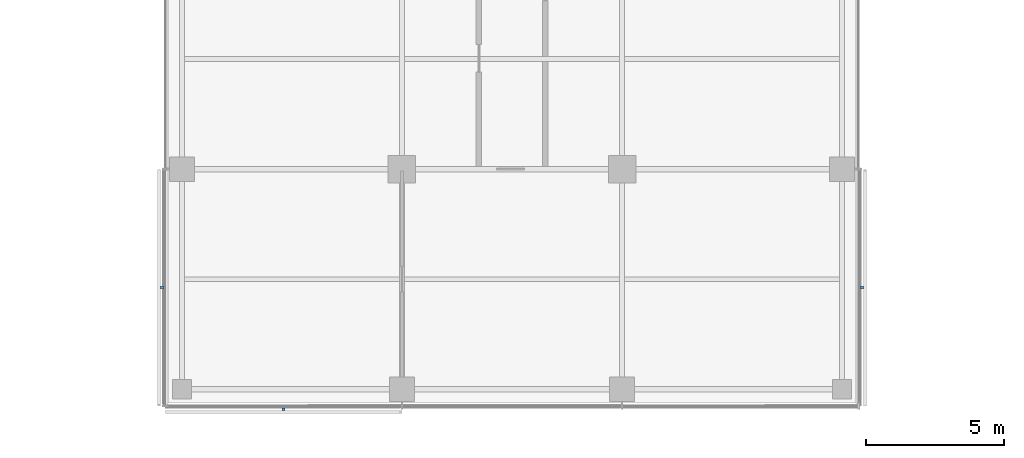
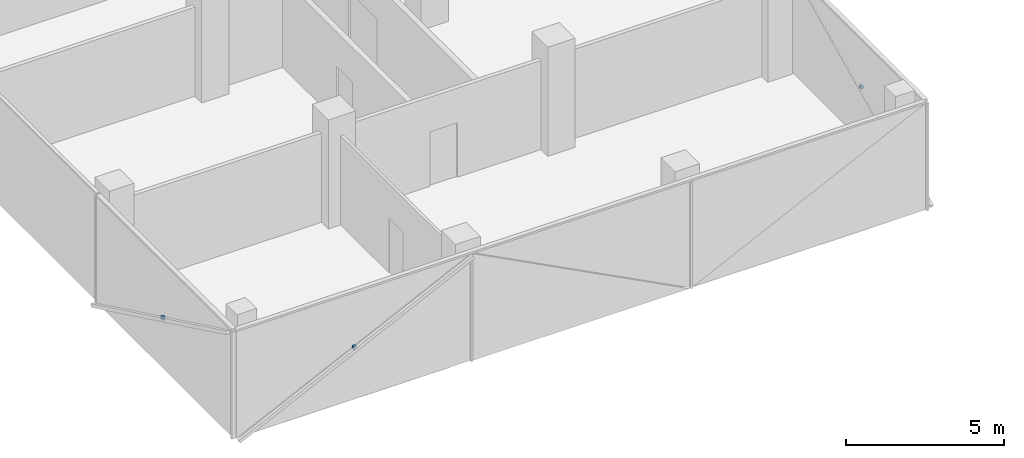
# One storey, part 18 of 22: 3 discrete accessories.
"""IFC4 building model written with IfcOpenShell, lengths in metres."""

from ifc_helpers import new_model, si_unit, direction, frame, origin, origin_2d, place, context, subcontext, project, spatial, rectangle, extrude, material, type_object, element, save


model = new_model("IFC4")

# Units and contexts
model_context = context("Model", 3, precision=1e-05, world=origin(), true_north=direction((0.0, 1.0)))
body_context = subcontext(model_context, "Body", "Model", "MODEL_VIEW")
ifc_project = project(units=[si_unit("LENGTHUNIT", "METRE"), si_unit("AREAUNIT", "SQUARE_METRE"), si_unit("VOLUMEUNIT", "CUBIC_METRE"), si_unit("PLANEANGLEUNIT", "RADIAN"), si_unit("MASSUNIT", "GRAM", prefix="KILO")], contexts=[model_context])

# Site, building, storey
site_placement = place(None, origin())
site = spatial("IfcSite", under=ifc_project, at=site_placement, CompositionType="ELEMENT")
building_placement = place(site_placement, origin())
building = spatial("IfcBuilding", under=site, at=building_placement, Name="Crosswind Convention Tower", CompositionType="ELEMENT")
storey_placement = place(building_placement, frame((0.0, 0.0, 163.10009765625)))
storey = spatial("IfcBuildingStorey", under=building, at=storey_placement, Name="L34", CompositionType="ELEMENT", Elevation=163.10009765625)

# Discrete accessories
ifc_material = material(Name="Stainless steel", Category="steel")
discrete_accessory_type = type_object("IfcDiscreteAccessoryType", Name="BAGUETTE BRACKET BK3", PredefinedType="BRACKET", material=ifc_material)
for number, where, z_axis, x_axis, name in (
    (1, (112.27392578125, 75.695068359375, 1.704833984375), (0.0, 0.0, 1.0), (0.0, -1.0, 0.0), "BK3 baguette bracket"),
    (2, (116.695068359375, 71.27392578125, 1.704833984375), (0.0, 0.0, 1.0), (1.0, 0.0, 0.0), "BK3 baguette bracket"),
    (3, (137.72607421875, 75.695068359375, 1.704833984375), (0.0, 0.0, 1.0), (0.0, 1.0, 0.0), "BK3 baguette bracket"),
):
    element("IfcDiscreteAccessory", number, at=place(storey_placement, frame(where, z_axis=z_axis, x_axis=x_axis)), inside=storey, type_object=discrete_accessory_type, Name=name, PredefinedType="BRACKET", context=body_context, shape_type="SweptSolid", body=[
        extrude(rectangle(XDim=0.1201171875, YDim=0.10009765625, at=origin_2d()), origin(), (0.0, 0.0, 1.0), 0.1201171875),
    ])

save(model, "model.ifc")
